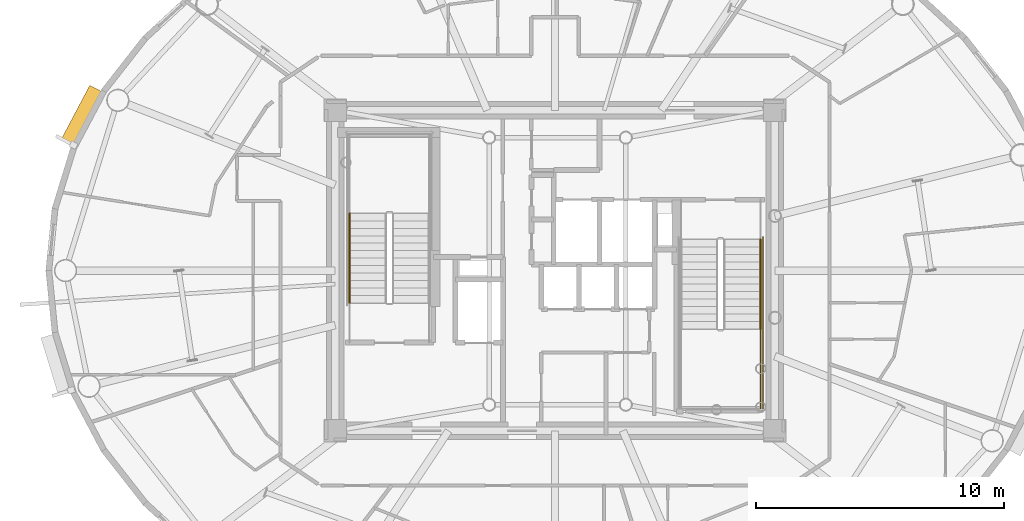
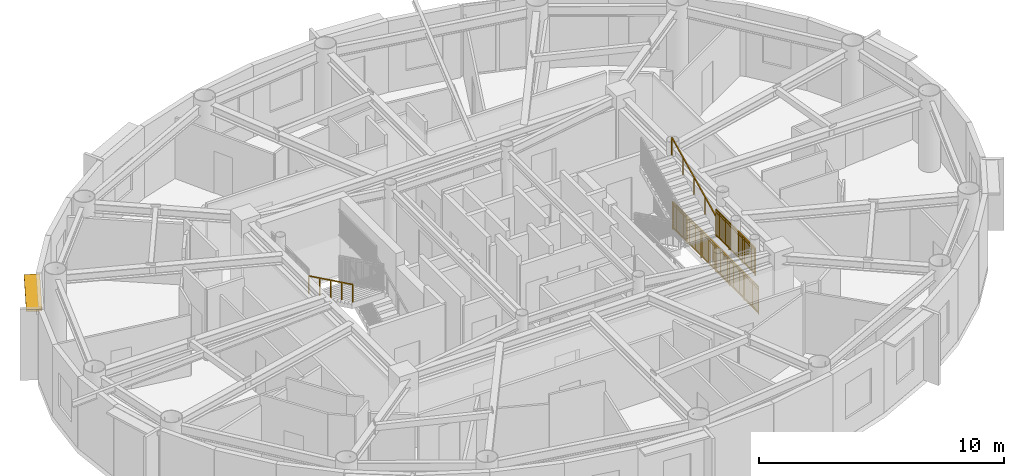
# One storey, part 14 of 17: 4 railings, 1 shading device.
"""IFC4 building model written with IfcOpenShell, lengths in metres."""

from ifc_helpers import new_model, si_unit, direction, frame, origin, origin_2d, place, context, subcontext, project, spatial, rectangle, extrude, source, transform, mapped, material, layer, layer_set, type_object, element, save


model = new_model("IFC4")

# Units and contexts
model_context = context("Model", 3, precision=1e-05, world=origin(), true_north=direction((0.0, 1.0)))
body_context = subcontext(model_context, "Body", "Model", "MODEL_VIEW")
ifc_project = project(units=[si_unit("LENGTHUNIT", "METRE"), si_unit("AREAUNIT", "SQUARE_METRE"), si_unit("VOLUMEUNIT", "CUBIC_METRE"), si_unit("PLANEANGLEUNIT", "RADIAN"), si_unit("MASSUNIT", "GRAM", prefix="KILO")], contexts=[model_context])

# Site, building, storey
site_placement = place(None, origin())
site = spatial("IfcSite", under=ifc_project, at=site_placement, CompositionType="ELEMENT")
building_placement = place(site_placement, origin())
building = spatial("IfcBuilding", under=site, at=building_placement, Name="Linh Dai School and Residence Tower", CompositionType="ELEMENT")
storey_placement = place(building_placement, frame((0.0, 0.0, 331.60009765625)))
storey = spatial("IfcBuildingStorey", under=building, at=storey_placement, Name="L82", CompositionType="ELEMENT", Elevation=331.60009765625)

# Shading device
ifc_material_1 = material(Name="Terracotta Ceramic Sunshade", Category="masonry")
ifc_layer = layer(ifc_material_1, 0.10009765625)
ifc_layer_set = layer_set([ifc_layer], Name="Terracotta Ceramic Sunshade")
shading_device_type = type_object("IfcShadingDeviceType", Name="SHD-TC-650", PredefinedType="USERDEFINED", material=ifc_layer_set)
shared_shape_1 = source(origin(), body_context, "Body", "SweptSolid", [
    extrude(rectangle(XDim=2.505615234375, YDim=0.64990234375, at=origin_2d()), origin(), (0.0, 0.0, 1.0), 0.10009765625),
])
shading_device_placement = place(storey_placement, frame((16.97705078125, 33.2001953125, 3.429931640625), z_axis=(0.0, 0.0, 1.0), x_axis=(0.46754020214, 0.883971809156, 0.0)))
element("IfcShadingDevice", 1, at=shading_device_placement, inside=storey, type_object=shading_device_type, Name="L82 Terracotta Horizontal Sunshade Band 18", ObjectType="SUNSHADE", PredefinedType="USERDEFINED", context=body_context, shape_type="MappedRepresentation", body=[
    mapped(shared_shape_1, transform((0.0, 0.0, 0.0), x_axis=(1.0, 0.0, 0.0), y_axis=(0.0, 1.0, 0.0), z_axis=(0.0, 0.0, 1.0), scale=1.0)),
])

# Railings
ifc_material_2 = material(Name="Brushed Stainless Steel Handrail", Category="steel")
railing_type_1 = type_object("IfcRailingType", Name="RL-ST-HANDRAIL-900", PredefinedType="HANDRAIL", material=ifc_material_2)
shared_shape_2 = source(origin(), body_context, "Body", "SweptSolid", [
    extrude(rectangle(XDim=0.048095703125, YDim=0.048095703125, at=origin_2d()), frame((0.0, 0.0, 0.8759765625), z_axis=(0.0, 0.899012640991, 0.437922677352), x_axis=(-1.0, 0.0, 0.0)), (0.0, 0.0, 1.0), 4.00439453125),
    extrude(rectangle(XDim=0.0419921875, YDim=0.0419921875, at=origin_2d()), origin(), (0.0, 0.0, 1.0), 0.8759765625),
    extrude(rectangle(XDim=0.0419921875, YDim=0.0419921875, at=origin_2d()), frame((0.0, 0.89990234375, 0.4384765625)), (0.0, 0.0, 1.0), 0.8759765625),
    extrude(rectangle(XDim=0.0419921875, YDim=0.0419921875, at=origin_2d()), frame((0.0, 1.800048828125, 0.876953125)), (0.0, 0.0, 1.0), 0.8759765625),
    extrude(rectangle(XDim=0.0419921875, YDim=0.0419921875, at=origin_2d()), frame((0.0, 2.7001953125, 1.315185546875)), (0.0, 0.0, 1.0), 0.8759765625),
    extrude(rectangle(XDim=0.0419921875, YDim=0.0419921875, at=origin_2d()), frame((0.0, 3.60009765625, 1.753662109375)), (0.0, 0.0, 1.0), 0.8759765625),
])
railing_1_placement = place(storey_placement, frame((44.27001953125, 24.64990234375, 2.046142578125)))
element("IfcRailing", 2, at=railing_1_placement, inside=storey, type_object=railing_type_1, Name="L82 ST2 stair handrail 2", PredefinedType="HANDRAIL", context=body_context, shape_type="MappedRepresentation", body=[
    mapped(shared_shape_2, transform((0.0, 0.0, 0.0), x_axis=(1.0, 0.0, 0.0), y_axis=(0.0, 1.0, 0.0), z_axis=(0.0, 0.0, 1.0), scale=1.0)),
])
shared_shape_3 = source(origin(), body_context, "Body", "SweptSolid", [
    extrude(rectangle(XDim=0.048095703125, YDim=0.048095703125, at=origin_2d()), frame((0.0, 0.0, 0.8759765625), z_axis=(0.0, -0.899012640991, 0.437922677352), x_axis=(1.0, 0.0, 0.0)), (0.0, 0.0, 1.0), 4.00439453125),
    extrude(rectangle(XDim=0.0419921875, YDim=0.0419921875, at=origin_2d()), origin(), (0.0, 0.0, 1.0), 0.8759765625),
    extrude(rectangle(XDim=0.0419921875, YDim=0.0419921875, at=origin_2d()), frame((0.0, -0.89990234375, 0.4384765625)), (0.0, 0.0, 1.0), 0.8759765625),
    extrude(rectangle(XDim=0.0419921875, YDim=0.0419921875, at=origin_2d()), frame((0.0, -1.800048828125, 0.876953125)), (0.0, 0.0, 1.0), 0.8759765625),
    extrude(rectangle(XDim=0.0419921875, YDim=0.0419921875, at=origin_2d()), frame((0.0, -2.7001953125, 1.315185546875)), (0.0, 0.0, 1.0), 0.8759765625),
    extrude(rectangle(XDim=0.0419921875, YDim=0.0419921875, at=origin_2d()), frame((0.0, -3.60009765625, 1.753662109375)), (0.0, 0.0, 1.0), 0.8759765625),
])
railing_2_placement = place(storey_placement, frame((27.72998046875, 29.300048828125, 2.046142578125)))
element("IfcRailing", 3, at=railing_2_placement, inside=storey, type_object=railing_type_1, Name="L82 ST1 stair handrail 2", PredefinedType="HANDRAIL", context=body_context, shape_type="MappedRepresentation", body=[
    mapped(shared_shape_3, transform((0.0, 0.0, 0.0), x_axis=(1.0, 0.0, 0.0), y_axis=(0.0, 1.0, 0.0), z_axis=(0.0, 0.0, 1.0), scale=1.0)),
])
ifc_material_3 = material(Name="Structural Steel S355JR", Category="steel")
railing_type_2 = type_object("IfcRailingType", Name="RL-ST-GUARD-1400", PredefinedType="GUARDRAIL", material=ifc_material_3)
shared_shape_4 = source(origin(), body_context, "Body", "SweptSolid", [
    extrude(rectangle(XDim=0.048095703125, YDim=0.048095703125, at=origin_2d()), frame((0.0, 0.0, 1.3759765625), z_axis=(0.0, -1.0, 0.0), x_axis=(1.0, 0.0, 0.0)), (0.0, 0.0, 1.0), 7.0),
    extrude(rectangle(XDim=0.048095703125, YDim=0.048095703125, at=origin_2d()), frame((0.0, 0.0, 0.10009765625), z_axis=(0.0, -1.0, 0.0), x_axis=(1.0, 0.0, 0.0)), (0.0, 0.0, 1.0), 7.0),
    extrude(rectangle(XDim=0.030029296875, YDim=0.030029296875, at=origin_2d()), frame((0.0, 0.0, 1.239990234375), z_axis=(0.0, -1.0, 0.0), x_axis=(1.0, 0.0, 0.0)), (0.0, 0.0, 1.0), 7.0),
    extrude(rectangle(XDim=0.02001953125, YDim=0.02001953125, at=origin_2d()), frame((0.0, -0.09716796875, 0.10009765625)), (0.0, 0.0, 1.0), 1.251708984375),
    extrude(rectangle(XDim=0.02001953125, YDim=0.02001953125, at=origin_2d()), frame((0.0, -0.1943359375, 0.10009765625)), (0.0, 0.0, 1.0), 1.251708984375),
    extrude(rectangle(XDim=0.02001953125, YDim=0.02001953125, at=origin_2d()), frame((0.0, -0.291748046875, 0.10009765625)), (0.0, 0.0, 1.0), 1.251708984375),
    extrude(rectangle(XDim=0.02001953125, YDim=0.02001953125, at=origin_2d()), frame((0.0, -0.388916015625, 0.10009765625)), (0.0, 0.0, 1.0), 1.251708984375),
    extrude(rectangle(XDim=0.02001953125, YDim=0.02001953125, at=origin_2d()), frame((0.0, -0.486083984375, 0.10009765625)), (0.0, 0.0, 1.0), 1.251708984375),
    extrude(rectangle(XDim=0.02001953125, YDim=0.02001953125, at=origin_2d()), frame((0.0, -0.583251953125, 0.10009765625)), (0.0, 0.0, 1.0), 1.251708984375),
    extrude(rectangle(XDim=0.02001953125, YDim=0.02001953125, at=origin_2d()), frame((0.0, -0.6806640625, 0.10009765625)), (0.0, 0.0, 1.0), 1.251708984375),
    extrude(rectangle(XDim=0.02001953125, YDim=0.02001953125, at=origin_2d()), frame((0.0, -0.77783203125, 0.10009765625)), (0.0, 0.0, 1.0), 1.251708984375),
    extrude(rectangle(XDim=0.02001953125, YDim=0.02001953125, at=origin_2d()), frame((0.0, -0.875, 0.10009765625)), (0.0, 0.0, 1.0), 1.251708984375),
    extrude(rectangle(XDim=0.02001953125, YDim=0.02001953125, at=origin_2d()), frame((0.0, -0.97216796875, 0.10009765625)), (0.0, 0.0, 1.0), 1.251708984375),
    extrude(rectangle(XDim=0.02001953125, YDim=0.02001953125, at=origin_2d()), frame((0.0, -1.0693359375, 0.10009765625)), (0.0, 0.0, 1.0), 1.251708984375),
    extrude(rectangle(XDim=0.02001953125, YDim=0.02001953125, at=origin_2d()), frame((0.0, -1.263916015625, 0.10009765625)), (0.0, 0.0, 1.0), 1.251708984375),
    extrude(rectangle(XDim=0.02001953125, YDim=0.02001953125, at=origin_2d()), frame((0.0, -1.361083984375, 0.10009765625)), (0.0, 0.0, 1.0), 1.251708984375),
    extrude(rectangle(XDim=0.02001953125, YDim=0.02001953125, at=origin_2d()), frame((0.0, -1.458251953125, 0.10009765625)), (0.0, 0.0, 1.0), 1.251708984375),
    extrude(rectangle(XDim=0.02001953125, YDim=0.02001953125, at=origin_2d()), frame((0.0, -1.5556640625, 0.10009765625)), (0.0, 0.0, 1.0), 1.251708984375),
    extrude(rectangle(XDim=0.02001953125, YDim=0.02001953125, at=origin_2d()), frame((0.0, -1.65283203125, 0.10009765625)), (0.0, 0.0, 1.0), 1.251708984375),
    extrude(rectangle(XDim=0.02001953125, YDim=0.02001953125, at=origin_2d()), frame((0.0, -1.75, 0.10009765625)), (0.0, 0.0, 1.0), 1.251708984375),
    extrude(rectangle(XDim=0.02001953125, YDim=0.02001953125, at=origin_2d()), frame((0.0, -1.84716796875, 0.10009765625)), (0.0, 0.0, 1.0), 1.251708984375),
    extrude(rectangle(XDim=0.02001953125, YDim=0.02001953125, at=origin_2d()), frame((0.0, -1.9443359375, 0.10009765625)), (0.0, 0.0, 1.0), 1.251708984375),
    extrude(rectangle(XDim=0.02001953125, YDim=0.02001953125, at=origin_2d()), frame((0.0, -2.041748046875, 0.10009765625)), (0.0, 0.0, 1.0), 1.251708984375),
    extrude(rectangle(XDim=0.02001953125, YDim=0.02001953125, at=origin_2d()), frame((0.0, -2.138916015625, 0.10009765625)), (0.0, 0.0, 1.0), 1.251708984375),
    extrude(rectangle(XDim=0.02001953125, YDim=0.02001953125, at=origin_2d()), frame((0.0, -2.236083984375, 0.10009765625)), (0.0, 0.0, 1.0), 1.251708984375),
    extrude(rectangle(XDim=0.02001953125, YDim=0.02001953125, at=origin_2d()), frame((0.0, -2.4306640625, 0.10009765625)), (0.0, 0.0, 1.0), 1.251708984375),
    extrude(rectangle(XDim=0.02001953125, YDim=0.02001953125, at=origin_2d()), frame((0.0, -2.52783203125, 0.10009765625)), (0.0, 0.0, 1.0), 1.251708984375),
    extrude(rectangle(XDim=0.02001953125, YDim=0.02001953125, at=origin_2d()), frame((0.0, -2.625, 0.10009765625)), (0.0, 0.0, 1.0), 1.251708984375),
    extrude(rectangle(XDim=0.02001953125, YDim=0.02001953125, at=origin_2d()), frame((0.0, -2.72216796875, 0.10009765625)), (0.0, 0.0, 1.0), 1.251708984375),
    extrude(rectangle(XDim=0.02001953125, YDim=0.02001953125, at=origin_2d()), frame((0.0, -2.8193359375, 0.10009765625)), (0.0, 0.0, 1.0), 1.251708984375),
    extrude(rectangle(XDim=0.02001953125, YDim=0.02001953125, at=origin_2d()), frame((0.0, -2.916748046875, 0.10009765625)), (0.0, 0.0, 1.0), 1.251708984375),
    extrude(rectangle(XDim=0.02001953125, YDim=0.02001953125, at=origin_2d()), frame((0.0, -3.013916015625, 0.10009765625)), (0.0, 0.0, 1.0), 1.251708984375),
    extrude(rectangle(XDim=0.02001953125, YDim=0.02001953125, at=origin_2d()), frame((0.0, -3.111083984375, 0.10009765625)), (0.0, 0.0, 1.0), 1.251708984375),
    extrude(rectangle(XDim=0.02001953125, YDim=0.02001953125, at=origin_2d()), frame((0.0, -3.208251953125, 0.10009765625)), (0.0, 0.0, 1.0), 1.251708984375),
    extrude(rectangle(XDim=0.02001953125, YDim=0.02001953125, at=origin_2d()), frame((0.0, -3.3056640625, 0.10009765625)), (0.0, 0.0, 1.0), 1.251708984375),
    extrude(rectangle(XDim=0.02001953125, YDim=0.02001953125, at=origin_2d()), frame((0.0, -3.40283203125, 0.10009765625)), (0.0, 0.0, 1.0), 1.251708984375),
    extrude(rectangle(XDim=0.02001953125, YDim=0.02001953125, at=origin_2d()), frame((0.0, -3.59716796875, 0.10009765625)), (0.0, 0.0, 1.0), 1.251708984375),
    extrude(rectangle(XDim=0.02001953125, YDim=0.02001953125, at=origin_2d()), frame((0.0, -3.6943359375, 0.10009765625)), (0.0, 0.0, 1.0), 1.251708984375),
    extrude(rectangle(XDim=0.02001953125, YDim=0.02001953125, at=origin_2d()), frame((0.0, -3.791748046875, 0.10009765625)), (0.0, 0.0, 1.0), 1.251708984375),
    extrude(rectangle(XDim=0.02001953125, YDim=0.02001953125, at=origin_2d()), frame((0.0, -3.888916015625, 0.10009765625)), (0.0, 0.0, 1.0), 1.251708984375),
    extrude(rectangle(XDim=0.02001953125, YDim=0.02001953125, at=origin_2d()), frame((0.0, -3.986083984375, 0.10009765625)), (0.0, 0.0, 1.0), 1.251708984375),
    extrude(rectangle(XDim=0.02001953125, YDim=0.02001953125, at=origin_2d()), frame((0.0, -4.083251953125, 0.10009765625)), (0.0, 0.0, 1.0), 1.251708984375),
    extrude(rectangle(XDim=0.02001953125, YDim=0.02001953125, at=origin_2d()), frame((0.0, -4.1806640625, 0.10009765625)), (0.0, 0.0, 1.0), 1.251708984375),
    extrude(rectangle(XDim=0.02001953125, YDim=0.02001953125, at=origin_2d()), frame((0.0, -4.27783203125, 0.10009765625)), (0.0, 0.0, 1.0), 1.251708984375),
    extrude(rectangle(XDim=0.02001953125, YDim=0.02001953125, at=origin_2d()), frame((0.0, -4.375, 0.10009765625)), (0.0, 0.0, 1.0), 1.251708984375),
    extrude(rectangle(XDim=0.02001953125, YDim=0.02001953125, at=origin_2d()), frame((0.0, -4.47216796875, 0.10009765625)), (0.0, 0.0, 1.0), 1.251708984375),
    extrude(rectangle(XDim=0.02001953125, YDim=0.02001953125, at=origin_2d()), frame((0.0, -4.5693359375, 0.10009765625)), (0.0, 0.0, 1.0), 1.251708984375),
    extrude(rectangle(XDim=0.02001953125, YDim=0.02001953125, at=origin_2d()), frame((0.0, -4.763916015625, 0.10009765625)), (0.0, 0.0, 1.0), 1.251708984375),
    extrude(rectangle(XDim=0.02001953125, YDim=0.02001953125, at=origin_2d()), frame((0.0, -4.861083984375, 0.10009765625)), (0.0, 0.0, 1.0), 1.251708984375),
    extrude(rectangle(XDim=0.02001953125, YDim=0.02001953125, at=origin_2d()), frame((0.0, -4.958251953125, 0.10009765625)), (0.0, 0.0, 1.0), 1.251708984375),
    extrude(rectangle(XDim=0.02001953125, YDim=0.02001953125, at=origin_2d()), frame((0.0, -5.0556640625, 0.10009765625)), (0.0, 0.0, 1.0), 1.251708984375),
    extrude(rectangle(XDim=0.02001953125, YDim=0.02001953125, at=origin_2d()), frame((0.0, -5.15283203125, 0.10009765625)), (0.0, 0.0, 1.0), 1.251708984375),
    extrude(rectangle(XDim=0.02001953125, YDim=0.02001953125, at=origin_2d()), frame((0.0, -5.25, 0.10009765625)), (0.0, 0.0, 1.0), 1.251708984375),
    extrude(rectangle(XDim=0.02001953125, YDim=0.02001953125, at=origin_2d()), frame((0.0, -5.34716796875, 0.10009765625)), (0.0, 0.0, 1.0), 1.251708984375),
    extrude(rectangle(XDim=0.02001953125, YDim=0.02001953125, at=origin_2d()), frame((0.0, -5.4443359375, 0.10009765625)), (0.0, 0.0, 1.0), 1.251708984375),
    extrude(rectangle(XDim=0.02001953125, YDim=0.02001953125, at=origin_2d()), frame((0.0, -5.541748046875, 0.10009765625)), (0.0, 0.0, 1.0), 1.251708984375),
    extrude(rectangle(XDim=0.02001953125, YDim=0.02001953125, at=origin_2d()), frame((0.0, -5.638916015625, 0.10009765625)), (0.0, 0.0, 1.0), 1.251708984375),
    extrude(rectangle(XDim=0.02001953125, YDim=0.02001953125, at=origin_2d()), frame((0.0, -5.736083984375, 0.10009765625)), (0.0, 0.0, 1.0), 1.251708984375),
    extrude(rectangle(XDim=0.02001953125, YDim=0.02001953125, at=origin_2d()), frame((0.0, -5.9306640625, 0.10009765625)), (0.0, 0.0, 1.0), 1.251708984375),
    extrude(rectangle(XDim=0.02001953125, YDim=0.02001953125, at=origin_2d()), frame((0.0, -6.02783203125, 0.10009765625)), (0.0, 0.0, 1.0), 1.251708984375),
    extrude(rectangle(XDim=0.02001953125, YDim=0.02001953125, at=origin_2d()), frame((0.0, -6.125, 0.10009765625)), (0.0, 0.0, 1.0), 1.251708984375),
    extrude(rectangle(XDim=0.02001953125, YDim=0.02001953125, at=origin_2d()), frame((0.0, -6.22216796875, 0.10009765625)), (0.0, 0.0, 1.0), 1.251708984375),
    extrude(rectangle(XDim=0.02001953125, YDim=0.02001953125, at=origin_2d()), frame((0.0, -6.3193359375, 0.10009765625)), (0.0, 0.0, 1.0), 1.251708984375),
    extrude(rectangle(XDim=0.02001953125, YDim=0.02001953125, at=origin_2d()), frame((0.0, -6.416748046875, 0.10009765625)), (0.0, 0.0, 1.0), 1.251708984375),
    extrude(rectangle(XDim=0.02001953125, YDim=0.02001953125, at=origin_2d()), frame((0.0, -6.513916015625, 0.10009765625)), (0.0, 0.0, 1.0), 1.251708984375),
    extrude(rectangle(XDim=0.02001953125, YDim=0.02001953125, at=origin_2d()), frame((0.0, -6.611083984375, 0.10009765625)), (0.0, 0.0, 1.0), 1.251708984375),
    extrude(rectangle(XDim=0.02001953125, YDim=0.02001953125, at=origin_2d()), frame((0.0, -6.708251953125, 0.10009765625)), (0.0, 0.0, 1.0), 1.251708984375),
    extrude(rectangle(XDim=0.02001953125, YDim=0.02001953125, at=origin_2d()), frame((0.0, -6.8056640625, 0.10009765625)), (0.0, 0.0, 1.0), 1.251708984375),
    extrude(rectangle(XDim=0.02001953125, YDim=0.02001953125, at=origin_2d()), frame((0.0, -6.90283203125, 0.10009765625)), (0.0, 0.0, 1.0), 1.251708984375),
    extrude(rectangle(XDim=0.0419921875, YDim=0.0419921875, at=origin_2d()), origin(), (0.0, 0.0, 1.0), 1.3759765625),
    extrude(rectangle(XDim=0.0419921875, YDim=0.0419921875, at=origin_2d()), frame((0.0, -1.166748046875, 0.0)), (0.0, 0.0, 1.0), 1.3759765625),
    extrude(rectangle(XDim=0.0419921875, YDim=0.0419921875, at=origin_2d()), frame((0.0, -2.333251953125, 0.0)), (0.0, 0.0, 1.0), 1.3759765625),
    extrude(rectangle(XDim=0.0419921875, YDim=0.0419921875, at=origin_2d()), frame((0.0, -3.5, 0.0)), (0.0, 0.0, 1.0), 1.3759765625),
    extrude(rectangle(XDim=0.0419921875, YDim=0.0419921875, at=origin_2d()), frame((0.0, -4.666748046875, 0.0)), (0.0, 0.0, 1.0), 1.3759765625),
    extrude(rectangle(XDim=0.0419921875, YDim=0.0419921875, at=origin_2d()), frame((0.0, -5.833251953125, 0.0)), (0.0, 0.0, 1.0), 1.3759765625),
    extrude(rectangle(XDim=0.0419921875, YDim=0.0419921875, at=origin_2d()), frame((0.0, -7.0, 0.0)), (0.0, 0.0, 1.0), 1.3759765625),
])
railing_3_placement = place(storey_placement, frame((44.3701171875, 28.35009765625, 0.0)))
element("IfcRailing", 4, at=railing_3_placement, inside=storey, type_object=railing_type_2, Name="L82 ST2 stair guard 11", PredefinedType="GUARDRAIL", context=body_context, shape_type="MappedRepresentation", body=[
    mapped(shared_shape_4, transform((0.0, 0.0, 0.0), x_axis=(1.0, 0.0, 0.0), y_axis=(0.0, 1.0, 0.0), z_axis=(0.0, 0.0, 1.0), scale=1.0)),
])
shared_shape_5 = source(origin(), body_context, "Body", "SweptSolid", [
    extrude(rectangle(XDim=0.048095703125, YDim=0.048095703125, at=origin_2d()), frame((0.0, 0.0, 1.3759765625), z_axis=(0.0, -1.0, 0.0), x_axis=(1.0, 0.0, 0.0)), (0.0, 0.0, 1.0), 3.199951171875),
    extrude(rectangle(XDim=0.048095703125, YDim=0.048095703125, at=origin_2d()), frame((0.0, 0.0, 0.10009765625), z_axis=(0.0, -1.0, 0.0), x_axis=(1.0, 0.0, 0.0)), (0.0, 0.0, 1.0), 3.199951171875),
    extrude(rectangle(XDim=0.030029296875, YDim=0.030029296875, at=origin_2d()), frame((0.0, 0.0, 1.239990234375), z_axis=(0.0, -1.0, 0.0), x_axis=(1.0, 0.0, 0.0)), (0.0, 0.0, 1.0), 3.199951171875),
    extrude(rectangle(XDim=0.02001953125, YDim=0.02001953125, at=origin_2d()), frame((0.0, -0.096923828125, 0.10009765625)), (0.0, 0.0, 1.0), 1.251708984375),
    extrude(rectangle(XDim=0.02001953125, YDim=0.02001953125, at=origin_2d()), frame((0.0, -0.19384765625, 0.10009765625)), (0.0, 0.0, 1.0), 1.251708984375),
    extrude(rectangle(XDim=0.02001953125, YDim=0.02001953125, at=origin_2d()), frame((0.0, -0.291015625, 0.10009765625)), (0.0, 0.0, 1.0), 1.251708984375),
    extrude(rectangle(XDim=0.02001953125, YDim=0.02001953125, at=origin_2d()), frame((0.0, -0.387939453125, 0.10009765625)), (0.0, 0.0, 1.0), 1.251708984375),
    extrude(rectangle(XDim=0.02001953125, YDim=0.02001953125, at=origin_2d()), frame((0.0, -0.48486328125, 0.10009765625)), (0.0, 0.0, 1.0), 1.251708984375),
    extrude(rectangle(XDim=0.02001953125, YDim=0.02001953125, at=origin_2d()), frame((0.0, -0.581787109375, 0.10009765625)), (0.0, 0.0, 1.0), 1.251708984375),
    extrude(rectangle(XDim=0.02001953125, YDim=0.02001953125, at=origin_2d()), frame((0.0, -0.6787109375, 0.10009765625)), (0.0, 0.0, 1.0), 1.251708984375),
    extrude(rectangle(XDim=0.02001953125, YDim=0.02001953125, at=origin_2d()), frame((0.0, -0.775634765625, 0.10009765625)), (0.0, 0.0, 1.0), 1.251708984375),
    extrude(rectangle(XDim=0.02001953125, YDim=0.02001953125, at=origin_2d()), frame((0.0, -0.872802734375, 0.10009765625)), (0.0, 0.0, 1.0), 1.251708984375),
    extrude(rectangle(XDim=0.02001953125, YDim=0.02001953125, at=origin_2d()), frame((0.0, -0.9697265625, 0.10009765625)), (0.0, 0.0, 1.0), 1.251708984375),
    extrude(rectangle(XDim=0.02001953125, YDim=0.02001953125, at=origin_2d()), frame((0.0, -1.16357421875, 0.10009765625)), (0.0, 0.0, 1.0), 1.251708984375),
    extrude(rectangle(XDim=0.02001953125, YDim=0.02001953125, at=origin_2d()), frame((0.0, -1.260498046875, 0.10009765625)), (0.0, 0.0, 1.0), 1.251708984375),
    extrude(rectangle(XDim=0.02001953125, YDim=0.02001953125, at=origin_2d()), frame((0.0, -1.357666015625, 0.10009765625)), (0.0, 0.0, 1.0), 1.251708984375),
    extrude(rectangle(XDim=0.02001953125, YDim=0.02001953125, at=origin_2d()), frame((0.0, -1.45458984375, 0.10009765625)), (0.0, 0.0, 1.0), 1.251708984375),
    extrude(rectangle(XDim=0.02001953125, YDim=0.02001953125, at=origin_2d()), frame((0.0, -1.551513671875, 0.10009765625)), (0.0, 0.0, 1.0), 1.251708984375),
    extrude(rectangle(XDim=0.02001953125, YDim=0.02001953125, at=origin_2d()), frame((0.0, -1.6484375, 0.10009765625)), (0.0, 0.0, 1.0), 1.251708984375),
    extrude(rectangle(XDim=0.02001953125, YDim=0.02001953125, at=origin_2d()), frame((0.0, -1.745361328125, 0.10009765625)), (0.0, 0.0, 1.0), 1.251708984375),
    extrude(rectangle(XDim=0.02001953125, YDim=0.02001953125, at=origin_2d()), frame((0.0, -1.84228515625, 0.10009765625)), (0.0, 0.0, 1.0), 1.251708984375),
    extrude(rectangle(XDim=0.02001953125, YDim=0.02001953125, at=origin_2d()), frame((0.0, -1.939453125, 0.10009765625)), (0.0, 0.0, 1.0), 1.251708984375),
    extrude(rectangle(XDim=0.02001953125, YDim=0.02001953125, at=origin_2d()), frame((0.0, -2.036376953125, 0.10009765625)), (0.0, 0.0, 1.0), 1.251708984375),
    extrude(rectangle(XDim=0.02001953125, YDim=0.02001953125, at=origin_2d()), frame((0.0, -2.230224609375, 0.10009765625)), (0.0, 0.0, 1.0), 1.251708984375),
    extrude(rectangle(XDim=0.02001953125, YDim=0.02001953125, at=origin_2d()), frame((0.0, -2.3271484375, 0.10009765625)), (0.0, 0.0, 1.0), 1.251708984375),
    extrude(rectangle(XDim=0.02001953125, YDim=0.02001953125, at=origin_2d()), frame((0.0, -2.42431640625, 0.10009765625)), (0.0, 0.0, 1.0), 1.251708984375),
    extrude(rectangle(XDim=0.02001953125, YDim=0.02001953125, at=origin_2d()), frame((0.0, -2.521240234375, 0.10009765625)), (0.0, 0.0, 1.0), 1.251708984375),
    extrude(rectangle(XDim=0.02001953125, YDim=0.02001953125, at=origin_2d()), frame((0.0, -2.6181640625, 0.10009765625)), (0.0, 0.0, 1.0), 1.251708984375),
    extrude(rectangle(XDim=0.02001953125, YDim=0.02001953125, at=origin_2d()), frame((0.0, -2.715087890625, 0.10009765625)), (0.0, 0.0, 1.0), 1.251708984375),
    extrude(rectangle(XDim=0.02001953125, YDim=0.02001953125, at=origin_2d()), frame((0.0, -2.81201171875, 0.10009765625)), (0.0, 0.0, 1.0), 1.251708984375),
    extrude(rectangle(XDim=0.02001953125, YDim=0.02001953125, at=origin_2d()), frame((0.0, -2.908935546875, 0.10009765625)), (0.0, 0.0, 1.0), 1.251708984375),
    extrude(rectangle(XDim=0.02001953125, YDim=0.02001953125, at=origin_2d()), frame((0.0, -3.006103515625, 0.10009765625)), (0.0, 0.0, 1.0), 1.251708984375),
    extrude(rectangle(XDim=0.02001953125, YDim=0.02001953125, at=origin_2d()), frame((0.0, -3.10302734375, 0.10009765625)), (0.0, 0.0, 1.0), 1.251708984375),
    extrude(rectangle(XDim=0.0419921875, YDim=0.0419921875, at=origin_2d()), origin(), (0.0, 0.0, 1.0), 1.3759765625),
    extrude(rectangle(XDim=0.0419921875, YDim=0.0419921875, at=origin_2d()), frame((0.0, -1.066650390625, 0.0)), (0.0, 0.0, 1.0), 1.3759765625),
    extrude(rectangle(XDim=0.0419921875, YDim=0.0419921875, at=origin_2d()), frame((0.0, -2.13330078125, 0.0)), (0.0, 0.0, 1.0), 1.3759765625),
    extrude(rectangle(XDim=0.0419921875, YDim=0.0419921875, at=origin_2d()), frame((0.0, -3.199951171875, 0.0)), (0.0, 0.0, 1.0), 1.3759765625),
])
railing_4_placement = place(storey_placement, frame((44.27001953125, 24.64990234375, 1.89990234375)))
element("IfcRailing", 5, at=railing_4_placement, inside=storey, type_object=railing_type_2, Name="L82 ST2 stair guard 4", PredefinedType="GUARDRAIL", context=body_context, shape_type="MappedRepresentation", body=[
    mapped(shared_shape_5, transform((0.0, 0.0, 0.0), x_axis=(1.0, 0.0, 0.0), y_axis=(0.0, 1.0, 0.0), z_axis=(0.0, 0.0, 1.0), scale=1.0)),
])

save(model, "model.ifc")
